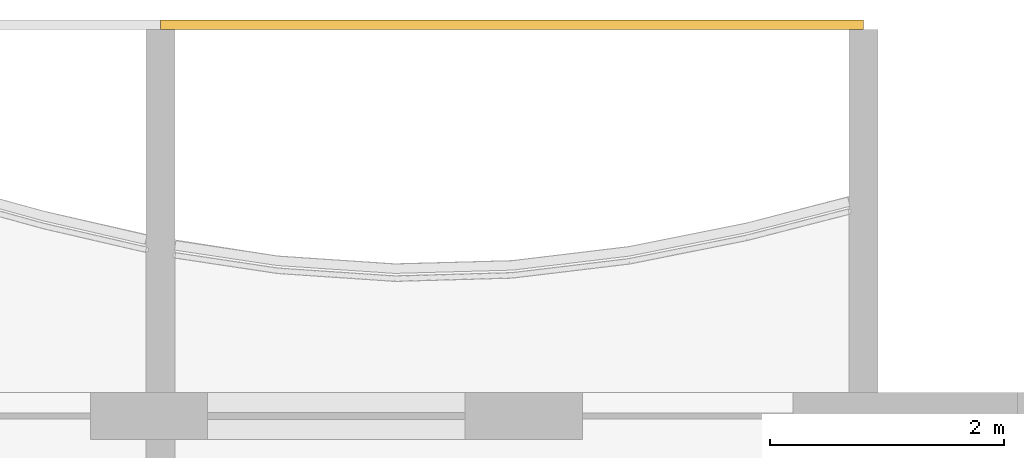
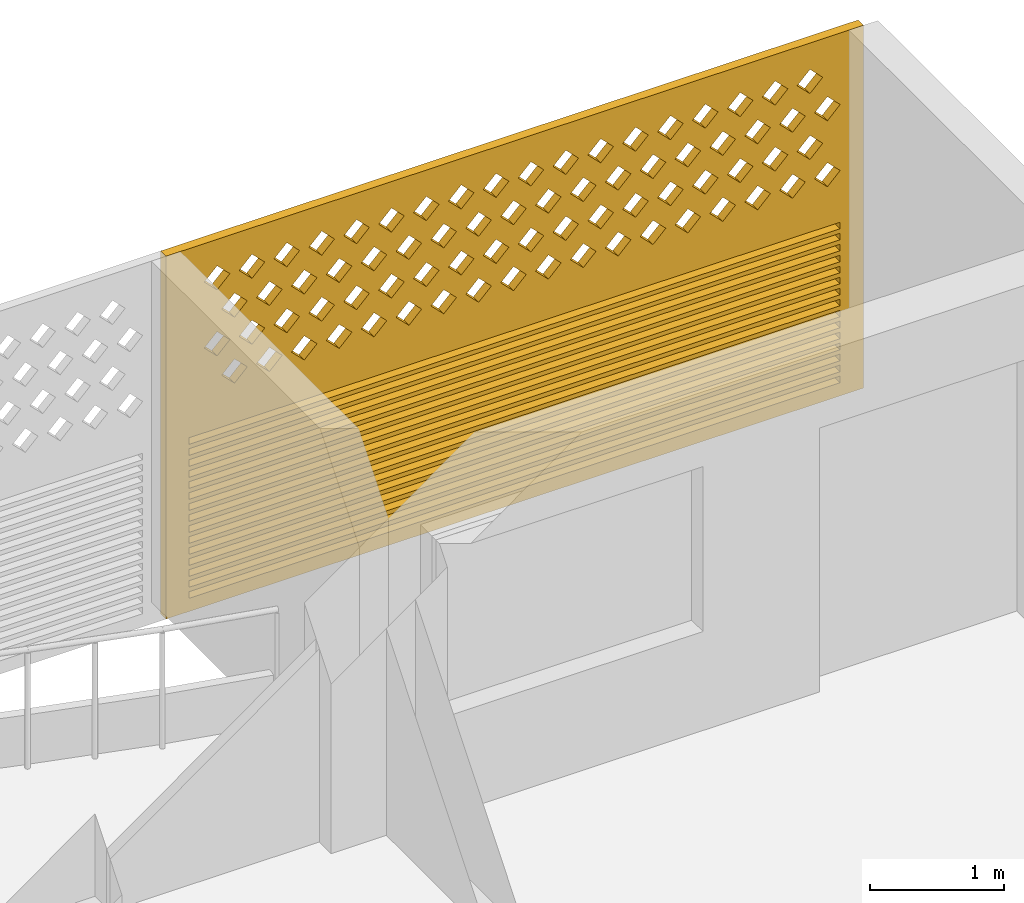
# One storey, part 27 of 27: 1 covering.
"""IFC4 building model written with IfcOpenShell, lengths in metres."""

from ifc_helpers import new_model, si_unit, direction, frame, origin, place, context, subcontext, project, spatial, polyline, outline, extrude, source, transform, mapped, material, material_profile, profile_set, type_object, element, save


model = new_model("IFC4")

# Units and contexts
model_context = context("Model", 3, precision=1e-05, world=origin(), true_north=direction((0.0, 1.0)))
body_context = subcontext(model_context, "Body", "Model", "MODEL_VIEW")
ifc_project = project(units=[si_unit("LENGTHUNIT", "METRE"), si_unit("AREAUNIT", "SQUARE_METRE"), si_unit("VOLUMEUNIT", "CUBIC_METRE"), si_unit("PLANEANGLEUNIT", "RADIAN"), si_unit("MASSUNIT", "GRAM", prefix="KILO")], contexts=[model_context])

# Site, building, storey
site_placement = place(None, origin())
site = spatial("IfcSite", under=ifc_project, at=site_placement, CompositionType="ELEMENT")
building_placement = place(site_placement, origin())
building = spatial("IfcBuilding", under=site, at=building_placement, Name="Poui Terraces", CompositionType="ELEMENT")
storey_placement = place(building_placement, frame((0.0, 0.0, 254.39990234375)))
storey = spatial("IfcBuildingStorey", under=building, at=storey_placement, Name="L71", CompositionType="ELEMENT", Elevation=254.39990234375)

# Covering
ifc_material = material(Name="Terracotta screen", Category="masonry")
ifc_material_profile = material_profile(ifc_material, outline(polyline([(-3.0, -1.64990234375), (3.0, -1.64990234375), (3.0, 1.64990234375), (-3.0, 1.64990234375), (-3.0, -1.64990234375)]), holes=[polyline([(-2.800048828125, 0.39990234375), (-2.68994140625, 0.2900390625), (-2.580078125, 0.39990234375), (-2.68994140625, 0.510009765625), (-2.800048828125, 0.39990234375)]), polyline([(-2.5, 0.39990234375), (-2.389892578125, 0.2900390625), (-2.280029296875, 0.39990234375), (-2.389892578125, 0.510009765625), (-2.5, 0.39990234375)]), polyline([(-2.199951171875, 0.39990234375), (-2.090087890625, 0.2900390625), (-1.97998046875, 0.39990234375), (-2.090087890625, 0.510009765625), (-2.199951171875, 0.39990234375)]), polyline([(-1.89990234375, 0.39990234375), (-1.7900390625, 0.2900390625), (-1.679931640625, 0.39990234375), (-1.7900390625, 0.510009765625), (-1.89990234375, 0.39990234375)]), polyline([(-1.60009765625, 0.39990234375), (-1.489990234375, 0.2900390625), (-1.3798828125, 0.39990234375), (-1.489990234375, 0.510009765625), (-1.60009765625, 0.39990234375)]), polyline([(-1.300048828125, 0.39990234375), (-1.18994140625, 0.2900390625), (-1.080078125, 0.39990234375), (-1.18994140625, 0.510009765625), (-1.300048828125, 0.39990234375)]), polyline([(-1.0, 0.39990234375), (-0.889892578125, 0.2900390625), (-0.780029296875, 0.39990234375), (-0.889892578125, 0.510009765625), (-1.0, 0.39990234375)]), polyline([(-0.699951171875, 0.39990234375), (-0.590087890625, 0.2900390625), (-0.47998046875, 0.39990234375), (-0.590087890625, 0.510009765625), (-0.699951171875, 0.39990234375)]), polyline([(-0.39990234375, 0.39990234375), (-0.2900390625, 0.2900390625), (-0.179931640625, 0.39990234375), (-0.2900390625, 0.510009765625), (-0.39990234375, 0.39990234375)]), polyline([(-0.10009765625, 0.39990234375), (0.010009765625, 0.2900390625), (0.1201171875, 0.39990234375), (0.010009765625, 0.510009765625), (-0.10009765625, 0.39990234375)]), polyline([(0.199951171875, 0.39990234375), (0.31005859375, 0.2900390625), (0.419921875, 0.39990234375), (0.31005859375, 0.510009765625), (0.199951171875, 0.39990234375)]), polyline([(0.5, 0.39990234375), (0.610107421875, 0.2900390625), (0.719970703125, 0.39990234375), (0.610107421875, 0.510009765625), (0.5, 0.39990234375)]), polyline([(0.800048828125, 0.39990234375), (0.909912109375, 0.2900390625), (1.02001953125, 0.39990234375), (0.909912109375, 0.510009765625), (0.800048828125, 0.39990234375)]), polyline([(1.10009765625, 0.39990234375), (1.2099609375, 0.2900390625), (1.320068359375, 0.39990234375), (1.2099609375, 0.510009765625), (1.10009765625, 0.39990234375)]), polyline([(1.39990234375, 0.39990234375), (1.510009765625, 0.2900390625), (1.6201171875, 0.39990234375), (1.510009765625, 0.510009765625), (1.39990234375, 0.39990234375)]), polyline([(1.699951171875, 0.39990234375), (1.81005859375, 0.2900390625), (1.919921875, 0.39990234375), (1.81005859375, 0.510009765625), (1.699951171875, 0.39990234375)]), polyline([(2.0, 0.39990234375), (2.110107421875, 0.2900390625), (2.219970703125, 0.39990234375), (2.110107421875, 0.510009765625), (2.0, 0.39990234375)]), polyline([(2.300048828125, 0.39990234375), (2.409912109375, 0.2900390625), (2.52001953125, 0.39990234375), (2.409912109375, 0.510009765625), (2.300048828125, 0.39990234375)]), polyline([(-2.64990234375, 0.699951171875), (-2.5400390625, 0.590087890625), (-2.429931640625, 0.699951171875), (-2.5400390625, 0.81005859375), (-2.64990234375, 0.699951171875)]), polyline([(-2.35009765625, 0.699951171875), (-2.239990234375, 0.590087890625), (-2.1298828125, 0.699951171875), (-2.239990234375, 0.81005859375), (-2.35009765625, 0.699951171875)]), polyline([(-2.050048828125, 0.699951171875), (-1.93994140625, 0.590087890625), (-1.830078125, 0.699951171875), (-1.93994140625, 0.81005859375), (-2.050048828125, 0.699951171875)]), polyline([(-1.75, 0.699951171875), (-1.639892578125, 0.590087890625), (-1.530029296875, 0.699951171875), (-1.639892578125, 0.81005859375), (-1.75, 0.699951171875)]), polyline([(-1.449951171875, 0.699951171875), (-1.340087890625, 0.590087890625), (-1.22998046875, 0.699951171875), (-1.340087890625, 0.81005859375), (-1.449951171875, 0.699951171875)]), polyline([(-1.14990234375, 0.699951171875), (-1.0400390625, 0.590087890625), (-0.929931640625, 0.699951171875), (-1.0400390625, 0.81005859375), (-1.14990234375, 0.699951171875)]), polyline([(-0.85009765625, 0.699951171875), (-0.739990234375, 0.590087890625), (-0.6298828125, 0.699951171875), (-0.739990234375, 0.81005859375), (-0.85009765625, 0.699951171875)]), polyline([(-0.550048828125, 0.699951171875), (-0.43994140625, 0.590087890625), (-0.330078125, 0.699951171875), (-0.43994140625, 0.81005859375), (-0.550048828125, 0.699951171875)]), polyline([(-0.25, 0.699951171875), (-0.139892578125, 0.590087890625), (-0.030029296875, 0.699951171875), (-0.139892578125, 0.81005859375), (-0.25, 0.699951171875)]), polyline([(0.050048828125, 0.699951171875), (0.159912109375, 0.590087890625), (0.27001953125, 0.699951171875), (0.159912109375, 0.81005859375), (0.050048828125, 0.699951171875)]), polyline([(0.35009765625, 0.699951171875), (0.4599609375, 0.590087890625), (0.570068359375, 0.699951171875), (0.4599609375, 0.81005859375), (0.35009765625, 0.699951171875)]), polyline([(0.64990234375, 0.699951171875), (0.760009765625, 0.590087890625), (0.8701171875, 0.699951171875), (0.760009765625, 0.81005859375), (0.64990234375, 0.699951171875)]), polyline([(0.949951171875, 0.699951171875), (1.06005859375, 0.590087890625), (1.169921875, 0.699951171875), (1.06005859375, 0.81005859375), (0.949951171875, 0.699951171875)]), polyline([(1.25, 0.699951171875), (1.360107421875, 0.590087890625), (1.469970703125, 0.699951171875), (1.360107421875, 0.81005859375), (1.25, 0.699951171875)]), polyline([(1.550048828125, 0.699951171875), (1.659912109375, 0.590087890625), (1.77001953125, 0.699951171875), (1.659912109375, 0.81005859375), (1.550048828125, 0.699951171875)]), polyline([(1.85009765625, 0.699951171875), (1.9599609375, 0.590087890625), (2.070068359375, 0.699951171875), (1.9599609375, 0.81005859375), (1.85009765625, 0.699951171875)]), polyline([(2.14990234375, 0.699951171875), (2.260009765625, 0.590087890625), (2.3701171875, 0.699951171875), (2.260009765625, 0.81005859375), (2.14990234375, 0.699951171875)]), polyline([(2.449951171875, 0.699951171875), (2.56005859375, 0.590087890625), (2.669921875, 0.699951171875), (2.56005859375, 0.81005859375), (2.449951171875, 0.699951171875)]), polyline([(-2.800048828125, 1.0), (-2.68994140625, 0.889892578125), (-2.580078125, 1.0), (-2.68994140625, 1.110107421875), (-2.800048828125, 1.0)]), polyline([(-2.5, 1.0), (-2.389892578125, 0.889892578125), (-2.280029296875, 1.0), (-2.389892578125, 1.110107421875), (-2.5, 1.0)]), polyline([(-2.199951171875, 1.0), (-2.090087890625, 0.889892578125), (-1.97998046875, 1.0), (-2.090087890625, 1.110107421875), (-2.199951171875, 1.0)]), polyline([(-1.89990234375, 1.0), (-1.7900390625, 0.889892578125), (-1.679931640625, 1.0), (-1.7900390625, 1.110107421875), (-1.89990234375, 1.0)]), polyline([(-1.60009765625, 1.0), (-1.489990234375, 0.889892578125), (-1.3798828125, 1.0), (-1.489990234375, 1.110107421875), (-1.60009765625, 1.0)]), polyline([(-1.300048828125, 1.0), (-1.18994140625, 0.889892578125), (-1.080078125, 1.0), (-1.18994140625, 1.110107421875), (-1.300048828125, 1.0)]), polyline([(-1.0, 1.0), (-0.889892578125, 0.889892578125), (-0.780029296875, 1.0), (-0.889892578125, 1.110107421875), (-1.0, 1.0)]), polyline([(-0.699951171875, 1.0), (-0.590087890625, 0.889892578125), (-0.47998046875, 1.0), (-0.590087890625, 1.110107421875), (-0.699951171875, 1.0)]), polyline([(-0.39990234375, 1.0), (-0.2900390625, 0.889892578125), (-0.179931640625, 1.0), (-0.2900390625, 1.110107421875), (-0.39990234375, 1.0)]), polyline([(-0.10009765625, 1.0), (0.010009765625, 0.889892578125), (0.1201171875, 1.0), (0.010009765625, 1.110107421875), (-0.10009765625, 1.0)]), polyline([(0.199951171875, 1.0), (0.31005859375, 0.889892578125), (0.419921875, 1.0), (0.31005859375, 1.110107421875), (0.199951171875, 1.0)]), polyline([(0.5, 1.0), (0.610107421875, 0.889892578125), (0.719970703125, 1.0), (0.610107421875, 1.110107421875), (0.5, 1.0)]), polyline([(0.800048828125, 1.0), (0.909912109375, 0.889892578125), (1.02001953125, 1.0), (0.909912109375, 1.110107421875), (0.800048828125, 1.0)]), polyline([(1.10009765625, 1.0), (1.2099609375, 0.889892578125), (1.320068359375, 1.0), (1.2099609375, 1.110107421875), (1.10009765625, 1.0)]), polyline([(1.39990234375, 1.0), (1.510009765625, 0.889892578125), (1.6201171875, 1.0), (1.510009765625, 1.110107421875), (1.39990234375, 1.0)]), polyline([(1.699951171875, 1.0), (1.81005859375, 0.889892578125), (1.919921875, 1.0), (1.81005859375, 1.110107421875), (1.699951171875, 1.0)]), polyline([(2.0, 1.0), (2.110107421875, 0.889892578125), (2.219970703125, 1.0), (2.110107421875, 1.110107421875), (2.0, 1.0)]), polyline([(2.300048828125, 1.0), (2.409912109375, 0.889892578125), (2.52001953125, 1.0), (2.409912109375, 1.110107421875), (2.300048828125, 1.0)]), polyline([(-2.64990234375, 1.300048828125), (-2.5400390625, 1.18994140625), (-2.429931640625, 1.300048828125), (-2.5400390625, 1.409912109375), (-2.64990234375, 1.300048828125)]), polyline([(-2.35009765625, 1.300048828125), (-2.239990234375, 1.18994140625), (-2.1298828125, 1.300048828125), (-2.239990234375, 1.409912109375), (-2.35009765625, 1.300048828125)]), polyline([(-2.050048828125, 1.300048828125), (-1.93994140625, 1.18994140625), (-1.830078125, 1.300048828125), (-1.93994140625, 1.409912109375), (-2.050048828125, 1.300048828125)]), polyline([(-1.75, 1.300048828125), (-1.639892578125, 1.18994140625), (-1.530029296875, 1.300048828125), (-1.639892578125, 1.409912109375), (-1.75, 1.300048828125)]), polyline([(-1.449951171875, 1.300048828125), (-1.340087890625, 1.18994140625), (-1.22998046875, 1.300048828125), (-1.340087890625, 1.409912109375), (-1.449951171875, 1.300048828125)]), polyline([(-1.14990234375, 1.300048828125), (-1.0400390625, 1.18994140625), (-0.929931640625, 1.300048828125), (-1.0400390625, 1.409912109375), (-1.14990234375, 1.300048828125)]), polyline([(-0.85009765625, 1.300048828125), (-0.739990234375, 1.18994140625), (-0.6298828125, 1.300048828125), (-0.739990234375, 1.409912109375), (-0.85009765625, 1.300048828125)]), polyline([(-0.550048828125, 1.300048828125), (-0.43994140625, 1.18994140625), (-0.330078125, 1.300048828125), (-0.43994140625, 1.409912109375), (-0.550048828125, 1.300048828125)]), polyline([(-0.25, 1.300048828125), (-0.139892578125, 1.18994140625), (-0.030029296875, 1.300048828125), (-0.139892578125, 1.409912109375), (-0.25, 1.300048828125)]), polyline([(0.050048828125, 1.300048828125), (0.159912109375, 1.18994140625), (0.27001953125, 1.300048828125), (0.159912109375, 1.409912109375), (0.050048828125, 1.300048828125)]), polyline([(0.35009765625, 1.300048828125), (0.4599609375, 1.18994140625), (0.570068359375, 1.300048828125), (0.4599609375, 1.409912109375), (0.35009765625, 1.300048828125)]), polyline([(0.64990234375, 1.300048828125), (0.760009765625, 1.18994140625), (0.8701171875, 1.300048828125), (0.760009765625, 1.409912109375), (0.64990234375, 1.300048828125)]), polyline([(0.949951171875, 1.300048828125), (1.06005859375, 1.18994140625), (1.169921875, 1.300048828125), (1.06005859375, 1.409912109375), (0.949951171875, 1.300048828125)]), polyline([(1.25, 1.300048828125), (1.360107421875, 1.18994140625), (1.469970703125, 1.300048828125), (1.360107421875, 1.409912109375), (1.25, 1.300048828125)]), polyline([(1.550048828125, 1.300048828125), (1.659912109375, 1.18994140625), (1.77001953125, 1.300048828125), (1.659912109375, 1.409912109375), (1.550048828125, 1.300048828125)]), polyline([(1.85009765625, 1.300048828125), (1.9599609375, 1.18994140625), (2.070068359375, 1.300048828125), (1.9599609375, 1.409912109375), (1.85009765625, 1.300048828125)]), polyline([(2.14990234375, 1.300048828125), (2.260009765625, 1.18994140625), (2.3701171875, 1.300048828125), (2.260009765625, 1.409912109375), (2.14990234375, 1.300048828125)]), polyline([(2.449951171875, 1.300048828125), (2.56005859375, 1.18994140625), (2.669921875, 1.300048828125), (2.56005859375, 1.409912109375), (2.449951171875, 1.300048828125)]), polyline([(-2.800048828125, -1.530029296875), (2.800048828125, -1.530029296875), (2.800048828125, -1.469970703125), (-2.800048828125, -1.469970703125), (-2.800048828125, -1.530029296875)]), polyline([(-2.800048828125, -1.429931640625), (2.800048828125, -1.429931640625), (2.800048828125, -1.3701171875), (-2.800048828125, -1.3701171875), (-2.800048828125, -1.429931640625)]), polyline([(-2.800048828125, -1.330078125), (2.800048828125, -1.330078125), (2.800048828125, -1.27001953125), (-2.800048828125, -1.27001953125), (-2.800048828125, -1.330078125)]), polyline([(-2.800048828125, -1.22998046875), (2.800048828125, -1.22998046875), (2.800048828125, -1.169921875), (-2.800048828125, -1.169921875), (-2.800048828125, -1.22998046875)]), polyline([(-2.800048828125, -1.1298828125), (2.800048828125, -1.1298828125), (2.800048828125, -1.070068359375), (-2.800048828125, -1.070068359375), (-2.800048828125, -1.1298828125)]), polyline([(-2.800048828125, -1.030029296875), (2.800048828125, -1.030029296875), (2.800048828125, -0.969970703125), (-2.800048828125, -0.969970703125), (-2.800048828125, -1.030029296875)]), polyline([(-2.800048828125, -0.929931640625), (2.800048828125, -0.929931640625), (2.800048828125, -0.8701171875), (-2.800048828125, -0.8701171875), (-2.800048828125, -0.929931640625)]), polyline([(-2.800048828125, -0.830078125), (2.800048828125, -0.830078125), (2.800048828125, -0.77001953125), (-2.800048828125, -0.77001953125), (-2.800048828125, -0.830078125)]), polyline([(-2.800048828125, -0.72998046875), (2.800048828125, -0.72998046875), (2.800048828125, -0.669921875), (-2.800048828125, -0.669921875), (-2.800048828125, -0.72998046875)]), polyline([(-2.800048828125, -0.6298828125), (2.800048828125, -0.6298828125), (2.800048828125, -0.570068359375), (-2.800048828125, -0.570068359375), (-2.800048828125, -0.6298828125)]), polyline([(-2.800048828125, -0.530029296875), (2.800048828125, -0.530029296875), (2.800048828125, -0.469970703125), (-2.800048828125, -0.469970703125), (-2.800048828125, -0.530029296875)]), polyline([(-2.800048828125, -0.429931640625), (2.800048828125, -0.429931640625), (2.800048828125, -0.3701171875), (-2.800048828125, -0.3701171875), (-2.800048828125, -0.429931640625)]), polyline([(-2.800048828125, -0.330078125), (2.800048828125, -0.330078125), (2.800048828125, -0.27001953125), (-2.800048828125, -0.27001953125), (-2.800048828125, -0.330078125)]), polyline([(-2.800048828125, -0.22998046875), (2.800048828125, -0.22998046875), (2.800048828125, -0.169921875), (-2.800048828125, -0.169921875), (-2.800048828125, -0.22998046875)]), polyline([(-2.800048828125, -0.1298828125), (2.800048828125, -0.1298828125), (2.800048828125, -0.070068359375), (-2.800048828125, -0.070068359375), (-2.800048828125, -0.1298828125)])]), Name="TERRACOTTA SCREEN AND JALOUSIE LOUVRE 6000X3300")
ifc_profile_set = profile_set([ifc_material_profile], Name="Terracotta screen")
covering_type = type_object("IfcCoveringType", Name="TERRACOTTA SCREEN AND JALOUSIE LOUVRE 6000X3300", PredefinedType="CLADDING", material=ifc_profile_set)
shared_shape = source(origin(), body_context, "Body", "SweptSolid", [
    extrude(outline(polyline([(-3.0, -1.64990234375), (3.0, -1.64990234375), (3.0, 1.64990234375), (-3.0, 1.64990234375), (-3.0, -1.64990234375)]), holes=[polyline([(-2.800048828125, 0.39990234375), (-2.68994140625, 0.2900390625), (-2.580078125, 0.39990234375), (-2.68994140625, 0.510009765625), (-2.800048828125, 0.39990234375)]), polyline([(-2.5, 0.39990234375), (-2.389892578125, 0.2900390625), (-2.280029296875, 0.39990234375), (-2.389892578125, 0.510009765625), (-2.5, 0.39990234375)]), polyline([(-2.199951171875, 0.39990234375), (-2.090087890625, 0.2900390625), (-1.97998046875, 0.39990234375), (-2.090087890625, 0.510009765625), (-2.199951171875, 0.39990234375)]), polyline([(-1.89990234375, 0.39990234375), (-1.7900390625, 0.2900390625), (-1.679931640625, 0.39990234375), (-1.7900390625, 0.510009765625), (-1.89990234375, 0.39990234375)]), polyline([(-1.60009765625, 0.39990234375), (-1.489990234375, 0.2900390625), (-1.3798828125, 0.39990234375), (-1.489990234375, 0.510009765625), (-1.60009765625, 0.39990234375)]), polyline([(-1.300048828125, 0.39990234375), (-1.18994140625, 0.2900390625), (-1.080078125, 0.39990234375), (-1.18994140625, 0.510009765625), (-1.300048828125, 0.39990234375)]), polyline([(-1.0, 0.39990234375), (-0.889892578125, 0.2900390625), (-0.780029296875, 0.39990234375), (-0.889892578125, 0.510009765625), (-1.0, 0.39990234375)]), polyline([(-0.699951171875, 0.39990234375), (-0.590087890625, 0.2900390625), (-0.47998046875, 0.39990234375), (-0.590087890625, 0.510009765625), (-0.699951171875, 0.39990234375)]), polyline([(-0.39990234375, 0.39990234375), (-0.2900390625, 0.2900390625), (-0.179931640625, 0.39990234375), (-0.2900390625, 0.510009765625), (-0.39990234375, 0.39990234375)]), polyline([(-0.10009765625, 0.39990234375), (0.010009765625, 0.2900390625), (0.1201171875, 0.39990234375), (0.010009765625, 0.510009765625), (-0.10009765625, 0.39990234375)]), polyline([(0.199951171875, 0.39990234375), (0.31005859375, 0.2900390625), (0.419921875, 0.39990234375), (0.31005859375, 0.510009765625), (0.199951171875, 0.39990234375)]), polyline([(0.5, 0.39990234375), (0.610107421875, 0.2900390625), (0.719970703125, 0.39990234375), (0.610107421875, 0.510009765625), (0.5, 0.39990234375)]), polyline([(0.800048828125, 0.39990234375), (0.909912109375, 0.2900390625), (1.02001953125, 0.39990234375), (0.909912109375, 0.510009765625), (0.800048828125, 0.39990234375)]), polyline([(1.10009765625, 0.39990234375), (1.2099609375, 0.2900390625), (1.320068359375, 0.39990234375), (1.2099609375, 0.510009765625), (1.10009765625, 0.39990234375)]), polyline([(1.39990234375, 0.39990234375), (1.510009765625, 0.2900390625), (1.6201171875, 0.39990234375), (1.510009765625, 0.510009765625), (1.39990234375, 0.39990234375)]), polyline([(1.699951171875, 0.39990234375), (1.81005859375, 0.2900390625), (1.919921875, 0.39990234375), (1.81005859375, 0.510009765625), (1.699951171875, 0.39990234375)]), polyline([(2.0, 0.39990234375), (2.110107421875, 0.2900390625), (2.219970703125, 0.39990234375), (2.110107421875, 0.510009765625), (2.0, 0.39990234375)]), polyline([(2.300048828125, 0.39990234375), (2.409912109375, 0.2900390625), (2.52001953125, 0.39990234375), (2.409912109375, 0.510009765625), (2.300048828125, 0.39990234375)]), polyline([(-2.64990234375, 0.699951171875), (-2.5400390625, 0.590087890625), (-2.429931640625, 0.699951171875), (-2.5400390625, 0.81005859375), (-2.64990234375, 0.699951171875)]), polyline([(-2.35009765625, 0.699951171875), (-2.239990234375, 0.590087890625), (-2.1298828125, 0.699951171875), (-2.239990234375, 0.81005859375), (-2.35009765625, 0.699951171875)]), polyline([(-2.050048828125, 0.699951171875), (-1.93994140625, 0.590087890625), (-1.830078125, 0.699951171875), (-1.93994140625, 0.81005859375), (-2.050048828125, 0.699951171875)]), polyline([(-1.75, 0.699951171875), (-1.639892578125, 0.590087890625), (-1.530029296875, 0.699951171875), (-1.639892578125, 0.81005859375), (-1.75, 0.699951171875)]), polyline([(-1.449951171875, 0.699951171875), (-1.340087890625, 0.590087890625), (-1.22998046875, 0.699951171875), (-1.340087890625, 0.81005859375), (-1.449951171875, 0.699951171875)]), polyline([(-1.14990234375, 0.699951171875), (-1.0400390625, 0.590087890625), (-0.929931640625, 0.699951171875), (-1.0400390625, 0.81005859375), (-1.14990234375, 0.699951171875)]), polyline([(-0.85009765625, 0.699951171875), (-0.739990234375, 0.590087890625), (-0.6298828125, 0.699951171875), (-0.739990234375, 0.81005859375), (-0.85009765625, 0.699951171875)]), polyline([(-0.550048828125, 0.699951171875), (-0.43994140625, 0.590087890625), (-0.330078125, 0.699951171875), (-0.43994140625, 0.81005859375), (-0.550048828125, 0.699951171875)]), polyline([(-0.25, 0.699951171875), (-0.139892578125, 0.590087890625), (-0.030029296875, 0.699951171875), (-0.139892578125, 0.81005859375), (-0.25, 0.699951171875)]), polyline([(0.050048828125, 0.699951171875), (0.159912109375, 0.590087890625), (0.27001953125, 0.699951171875), (0.159912109375, 0.81005859375), (0.050048828125, 0.699951171875)]), polyline([(0.35009765625, 0.699951171875), (0.4599609375, 0.590087890625), (0.570068359375, 0.699951171875), (0.4599609375, 0.81005859375), (0.35009765625, 0.699951171875)]), polyline([(0.64990234375, 0.699951171875), (0.760009765625, 0.590087890625), (0.8701171875, 0.699951171875), (0.760009765625, 0.81005859375), (0.64990234375, 0.699951171875)]), polyline([(0.949951171875, 0.699951171875), (1.06005859375, 0.590087890625), (1.169921875, 0.699951171875), (1.06005859375, 0.81005859375), (0.949951171875, 0.699951171875)]), polyline([(1.25, 0.699951171875), (1.360107421875, 0.590087890625), (1.469970703125, 0.699951171875), (1.360107421875, 0.81005859375), (1.25, 0.699951171875)]), polyline([(1.550048828125, 0.699951171875), (1.659912109375, 0.590087890625), (1.77001953125, 0.699951171875), (1.659912109375, 0.81005859375), (1.550048828125, 0.699951171875)]), polyline([(1.85009765625, 0.699951171875), (1.9599609375, 0.590087890625), (2.070068359375, 0.699951171875), (1.9599609375, 0.81005859375), (1.85009765625, 0.699951171875)]), polyline([(2.14990234375, 0.699951171875), (2.260009765625, 0.590087890625), (2.3701171875, 0.699951171875), (2.260009765625, 0.81005859375), (2.14990234375, 0.699951171875)]), polyline([(2.449951171875, 0.699951171875), (2.56005859375, 0.590087890625), (2.669921875, 0.699951171875), (2.56005859375, 0.81005859375), (2.449951171875, 0.699951171875)]), polyline([(-2.800048828125, 1.0), (-2.68994140625, 0.889892578125), (-2.580078125, 1.0), (-2.68994140625, 1.110107421875), (-2.800048828125, 1.0)]), polyline([(-2.5, 1.0), (-2.389892578125, 0.889892578125), (-2.280029296875, 1.0), (-2.389892578125, 1.110107421875), (-2.5, 1.0)]), polyline([(-2.199951171875, 1.0), (-2.090087890625, 0.889892578125), (-1.97998046875, 1.0), (-2.090087890625, 1.110107421875), (-2.199951171875, 1.0)]), polyline([(-1.89990234375, 1.0), (-1.7900390625, 0.889892578125), (-1.679931640625, 1.0), (-1.7900390625, 1.110107421875), (-1.89990234375, 1.0)]), polyline([(-1.60009765625, 1.0), (-1.489990234375, 0.889892578125), (-1.3798828125, 1.0), (-1.489990234375, 1.110107421875), (-1.60009765625, 1.0)]), polyline([(-1.300048828125, 1.0), (-1.18994140625, 0.889892578125), (-1.080078125, 1.0), (-1.18994140625, 1.110107421875), (-1.300048828125, 1.0)]), polyline([(-1.0, 1.0), (-0.889892578125, 0.889892578125), (-0.780029296875, 1.0), (-0.889892578125, 1.110107421875), (-1.0, 1.0)]), polyline([(-0.699951171875, 1.0), (-0.590087890625, 0.889892578125), (-0.47998046875, 1.0), (-0.590087890625, 1.110107421875), (-0.699951171875, 1.0)]), polyline([(-0.39990234375, 1.0), (-0.2900390625, 0.889892578125), (-0.179931640625, 1.0), (-0.2900390625, 1.110107421875), (-0.39990234375, 1.0)]), polyline([(-0.10009765625, 1.0), (0.010009765625, 0.889892578125), (0.1201171875, 1.0), (0.010009765625, 1.110107421875), (-0.10009765625, 1.0)]), polyline([(0.199951171875, 1.0), (0.31005859375, 0.889892578125), (0.419921875, 1.0), (0.31005859375, 1.110107421875), (0.199951171875, 1.0)]), polyline([(0.5, 1.0), (0.610107421875, 0.889892578125), (0.719970703125, 1.0), (0.610107421875, 1.110107421875), (0.5, 1.0)]), polyline([(0.800048828125, 1.0), (0.909912109375, 0.889892578125), (1.02001953125, 1.0), (0.909912109375, 1.110107421875), (0.800048828125, 1.0)]), polyline([(1.10009765625, 1.0), (1.2099609375, 0.889892578125), (1.320068359375, 1.0), (1.2099609375, 1.110107421875), (1.10009765625, 1.0)]), polyline([(1.39990234375, 1.0), (1.510009765625, 0.889892578125), (1.6201171875, 1.0), (1.510009765625, 1.110107421875), (1.39990234375, 1.0)]), polyline([(1.699951171875, 1.0), (1.81005859375, 0.889892578125), (1.919921875, 1.0), (1.81005859375, 1.110107421875), (1.699951171875, 1.0)]), polyline([(2.0, 1.0), (2.110107421875, 0.889892578125), (2.219970703125, 1.0), (2.110107421875, 1.110107421875), (2.0, 1.0)]), polyline([(2.300048828125, 1.0), (2.409912109375, 0.889892578125), (2.52001953125, 1.0), (2.409912109375, 1.110107421875), (2.300048828125, 1.0)]), polyline([(-2.64990234375, 1.300048828125), (-2.5400390625, 1.18994140625), (-2.429931640625, 1.300048828125), (-2.5400390625, 1.409912109375), (-2.64990234375, 1.300048828125)]), polyline([(-2.35009765625, 1.300048828125), (-2.239990234375, 1.18994140625), (-2.1298828125, 1.300048828125), (-2.239990234375, 1.409912109375), (-2.35009765625, 1.300048828125)]), polyline([(-2.050048828125, 1.300048828125), (-1.93994140625, 1.18994140625), (-1.830078125, 1.300048828125), (-1.93994140625, 1.409912109375), (-2.050048828125, 1.300048828125)]), polyline([(-1.75, 1.300048828125), (-1.639892578125, 1.18994140625), (-1.530029296875, 1.300048828125), (-1.639892578125, 1.409912109375), (-1.75, 1.300048828125)]), polyline([(-1.449951171875, 1.300048828125), (-1.340087890625, 1.18994140625), (-1.22998046875, 1.300048828125), (-1.340087890625, 1.409912109375), (-1.449951171875, 1.300048828125)]), polyline([(-1.14990234375, 1.300048828125), (-1.0400390625, 1.18994140625), (-0.929931640625, 1.300048828125), (-1.0400390625, 1.409912109375), (-1.14990234375, 1.300048828125)]), polyline([(-0.85009765625, 1.300048828125), (-0.739990234375, 1.18994140625), (-0.6298828125, 1.300048828125), (-0.739990234375, 1.409912109375), (-0.85009765625, 1.300048828125)]), polyline([(-0.550048828125, 1.300048828125), (-0.43994140625, 1.18994140625), (-0.330078125, 1.300048828125), (-0.43994140625, 1.409912109375), (-0.550048828125, 1.300048828125)]), polyline([(-0.25, 1.300048828125), (-0.139892578125, 1.18994140625), (-0.030029296875, 1.300048828125), (-0.139892578125, 1.409912109375), (-0.25, 1.300048828125)]), polyline([(0.050048828125, 1.300048828125), (0.159912109375, 1.18994140625), (0.27001953125, 1.300048828125), (0.159912109375, 1.409912109375), (0.050048828125, 1.300048828125)]), polyline([(0.35009765625, 1.300048828125), (0.4599609375, 1.18994140625), (0.570068359375, 1.300048828125), (0.4599609375, 1.409912109375), (0.35009765625, 1.300048828125)]), polyline([(0.64990234375, 1.300048828125), (0.760009765625, 1.18994140625), (0.8701171875, 1.300048828125), (0.760009765625, 1.409912109375), (0.64990234375, 1.300048828125)]), polyline([(0.949951171875, 1.300048828125), (1.06005859375, 1.18994140625), (1.169921875, 1.300048828125), (1.06005859375, 1.409912109375), (0.949951171875, 1.300048828125)]), polyline([(1.25, 1.300048828125), (1.360107421875, 1.18994140625), (1.469970703125, 1.300048828125), (1.360107421875, 1.409912109375), (1.25, 1.300048828125)]), polyline([(1.550048828125, 1.300048828125), (1.659912109375, 1.18994140625), (1.77001953125, 1.300048828125), (1.659912109375, 1.409912109375), (1.550048828125, 1.300048828125)]), polyline([(1.85009765625, 1.300048828125), (1.9599609375, 1.18994140625), (2.070068359375, 1.300048828125), (1.9599609375, 1.409912109375), (1.85009765625, 1.300048828125)]), polyline([(2.14990234375, 1.300048828125), (2.260009765625, 1.18994140625), (2.3701171875, 1.300048828125), (2.260009765625, 1.409912109375), (2.14990234375, 1.300048828125)]), polyline([(2.449951171875, 1.300048828125), (2.56005859375, 1.18994140625), (2.669921875, 1.300048828125), (2.56005859375, 1.409912109375), (2.449951171875, 1.300048828125)]), polyline([(-2.800048828125, -1.530029296875), (2.800048828125, -1.530029296875), (2.800048828125, -1.469970703125), (-2.800048828125, -1.469970703125), (-2.800048828125, -1.530029296875)]), polyline([(-2.800048828125, -1.429931640625), (2.800048828125, -1.429931640625), (2.800048828125, -1.3701171875), (-2.800048828125, -1.3701171875), (-2.800048828125, -1.429931640625)]), polyline([(-2.800048828125, -1.330078125), (2.800048828125, -1.330078125), (2.800048828125, -1.27001953125), (-2.800048828125, -1.27001953125), (-2.800048828125, -1.330078125)]), polyline([(-2.800048828125, -1.22998046875), (2.800048828125, -1.22998046875), (2.800048828125, -1.169921875), (-2.800048828125, -1.169921875), (-2.800048828125, -1.22998046875)]), polyline([(-2.800048828125, -1.1298828125), (2.800048828125, -1.1298828125), (2.800048828125, -1.070068359375), (-2.800048828125, -1.070068359375), (-2.800048828125, -1.1298828125)]), polyline([(-2.800048828125, -1.030029296875), (2.800048828125, -1.030029296875), (2.800048828125, -0.969970703125), (-2.800048828125, -0.969970703125), (-2.800048828125, -1.030029296875)]), polyline([(-2.800048828125, -0.929931640625), (2.800048828125, -0.929931640625), (2.800048828125, -0.8701171875), (-2.800048828125, -0.8701171875), (-2.800048828125, -0.929931640625)]), polyline([(-2.800048828125, -0.830078125), (2.800048828125, -0.830078125), (2.800048828125, -0.77001953125), (-2.800048828125, -0.77001953125), (-2.800048828125, -0.830078125)]), polyline([(-2.800048828125, -0.72998046875), (2.800048828125, -0.72998046875), (2.800048828125, -0.669921875), (-2.800048828125, -0.669921875), (-2.800048828125, -0.72998046875)]), polyline([(-2.800048828125, -0.6298828125), (2.800048828125, -0.6298828125), (2.800048828125, -0.570068359375), (-2.800048828125, -0.570068359375), (-2.800048828125, -0.6298828125)]), polyline([(-2.800048828125, -0.530029296875), (2.800048828125, -0.530029296875), (2.800048828125, -0.469970703125), (-2.800048828125, -0.469970703125), (-2.800048828125, -0.530029296875)]), polyline([(-2.800048828125, -0.429931640625), (2.800048828125, -0.429931640625), (2.800048828125, -0.3701171875), (-2.800048828125, -0.3701171875), (-2.800048828125, -0.429931640625)]), polyline([(-2.800048828125, -0.330078125), (2.800048828125, -0.330078125), (2.800048828125, -0.27001953125), (-2.800048828125, -0.27001953125), (-2.800048828125, -0.330078125)]), polyline([(-2.800048828125, -0.22998046875), (2.800048828125, -0.22998046875), (2.800048828125, -0.169921875), (-2.800048828125, -0.169921875), (-2.800048828125, -0.22998046875)]), polyline([(-2.800048828125, -0.1298828125), (2.800048828125, -0.1298828125), (2.800048828125, -0.070068359375), (-2.800048828125, -0.070068359375), (-2.800048828125, -0.1298828125)])]), origin(), (0.0, 0.0, 1.0), 0.080078125),
])
covering_placement = place(storey_placement, frame((75.0, 44.5, 1.4501953125), z_axis=(0.0, 1.0, 0.0), x_axis=(-1.0, 0.0, 0.0)))
element("IfcCovering", 1, at=covering_placement, inside=storey, type_object=covering_type, Name="SOLAR SCREEN AND JALOUSIE LOUVRE", PredefinedType="CLADDING", context=body_context, shape_type="MappedRepresentation", body=[
    mapped(shared_shape, transform((0.0, 0.0, 0.0))),
])

save(model, "model.ifc")
